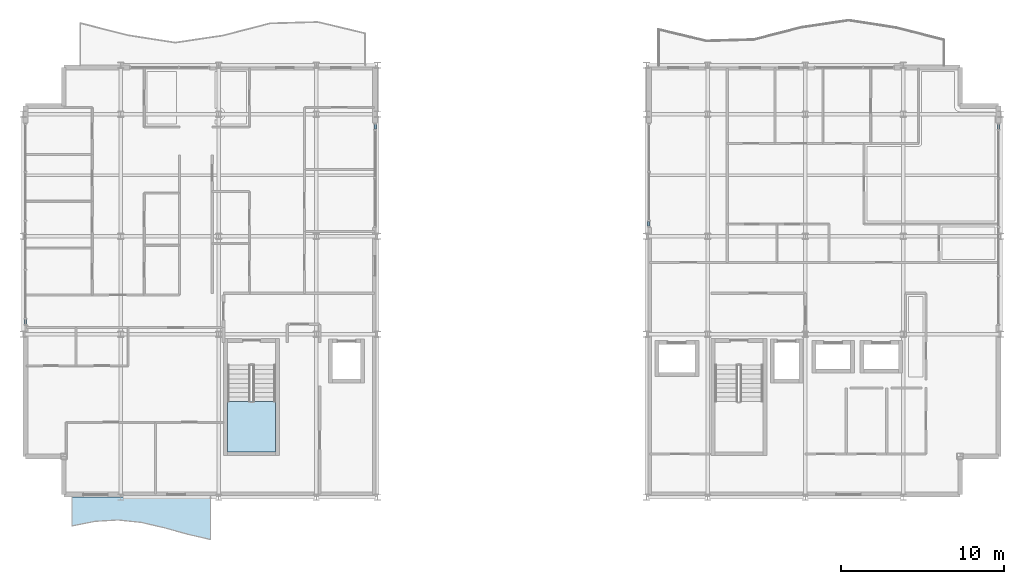
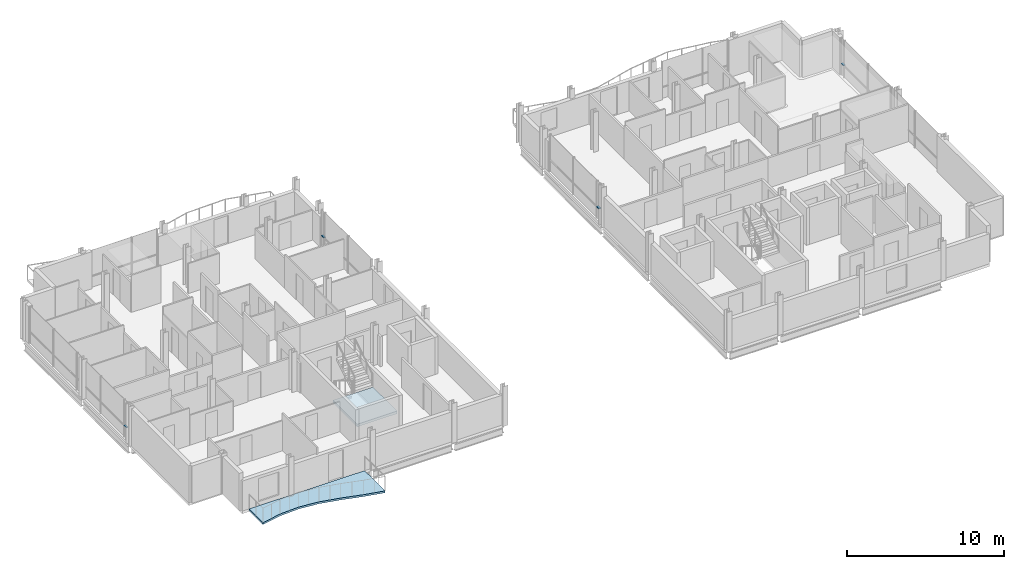
# One storey, part 16 of 29: 4 members, 2 slabs, 5 elements without a shape of their own.
"""IFC4 building model written with IfcOpenShell, lengths in metres."""

from ifc_helpers import new_model, si_unit, direction, frame, origin, origin_2d, place, context, subcontext, project, spatial, polyline, hollow_rectangle, outline, extrude, material, layer, layer_set, material_profile, profile_set, type_object, element, aggregate, save


model = new_model("IFC4")

# Units and contexts
model_context = context("Model", 3, precision=1e-05, world=origin(), true_north=direction((0.0, 1.0)))
body_context = subcontext(model_context, "Body", "Model", "MODEL_VIEW")
ifc_project = project(units=[si_unit("LENGTHUNIT", "METRE"), si_unit("AREAUNIT", "SQUARE_METRE"), si_unit("VOLUMEUNIT", "CUBIC_METRE"), si_unit("PLANEANGLEUNIT", "RADIAN"), si_unit("MASSUNIT", "GRAM", prefix="KILO")], contexts=[model_context])

# Site, building, storey
site_placement = place(None, origin())
site = spatial("IfcSite", under=ifc_project, at=site_placement, CompositionType="ELEMENT")
building_placement = place(site_placement, origin())
building = spatial("IfcBuilding", under=site, at=building_placement, Name="Brevholm Reach", CompositionType="ELEMENT")
storey_placement = place(building_placement, frame((0.0, 0.0, 208.0)))
storey = spatial("IfcBuildingStorey", under=building, at=storey_placement, Name="L63", CompositionType="ELEMENT", Elevation=208.0)

# Curtain wall, member
ifc_material_1 = material(Name="Dark Anodised Aluminium 6063-T6 and Solar-Control Glass", Category="aluminium")
ifc_layer_1 = layer(ifc_material_1, 0.14990234375)
ifc_layer_set_1 = layer_set([ifc_layer_1], Name="Dark Anodised Aluminium 6063-T6 and Solar-Control Glass")
curtain_wall_type_1 = type_object("IfcCurtainWallType", Name="CW-01", PredefinedType="NOTDEFINED", material=ifc_layer_set_1)
curtain_wall_1_placement = place(storey_placement, origin())
curtain_wall_1 = element("IfcCurtainWall", 1, at=curtain_wall_1_placement, inside=storey, type_object=curtain_wall_type_1, Name="L63 Curtain Wall CW-01", PredefinedType="NOTDEFINED")
ifc_material_2 = material(Name="Dark Anodised Aluminium 6063-T6", Category="aluminium")
ifc_material_profile_1 = material_profile(ifc_material_2, hollow_rectangle(XDim=0.06494140625, YDim=0.14990234375, WallThickness=0.0048828125, InnerFilletRadius=0.0048828125, OuterFilletRadius=0.010009765625, at=origin_2d()), Name="RHS 150x65x5")
ifc_profile_set_1 = profile_set([ifc_material_profile_1], Name="Dark Anodised Aluminium 6063-T6")
member_type_1 = type_object("IfcMemberType", Name="CWT-150", PredefinedType="NOTDEFINED", material=ifc_profile_set_1)
member_1_placement = place(storey_placement, frame((0.14990234375, 10.91748046875, 0.89990234375), z_axis=(0.0, -1.0, 0.0), x_axis=(0.0, 0.0, 1.0)))
member_1 = element("IfcMember", 2, at=member_1_placement, type_object=member_type_1, Name="CT-150 Transom 5.1", ObjectType="TRANSOM", PredefinedType="USERDEFINED", context=body_context, shape_type="SweptSolid", body=[
    extrude(hollow_rectangle(XDim=0.06494140625, YDim=0.14990234375, WallThickness=0.0048828125, InnerFilletRadius=0.0048828125, OuterFilletRadius=0.010009765625, at=origin_2d()), origin(), (0.0, 0.0, 1.0), 0.302490234375),
])
aggregate(curtain_wall_1, [member_1])

curtain_wall_2_placement = place(storey_placement, origin())
curtain_wall_2 = element("IfcCurtainWall", 3, at=curtain_wall_2_placement, inside=storey, type_object=curtain_wall_type_1, Name="L63 Curtain Wall CW-01", PredefinedType="NOTDEFINED")
member_2_placement = place(storey_placement, frame((59.85009765625, 22.58251953125, 0.89990234375), z_axis=(0.0, 1.0, 0.0), x_axis=(0.0, 0.0, 1.0)))
member_2 = element("IfcMember", 4, at=member_2_placement, type_object=member_type_1, Name="CT-150 Transom 5.1", ObjectType="TRANSOM", PredefinedType="USERDEFINED", context=body_context, shape_type="SweptSolid", body=[
    extrude(hollow_rectangle(XDim=0.06494140625, YDim=0.14990234375, WallThickness=0.0048828125, InnerFilletRadius=0.0048828125, OuterFilletRadius=0.010009765625, at=origin_2d()), origin(), (0.0, 0.0, 1.0), 0.302490234375),
])
aggregate(curtain_wall_2, [member_2])

ifc_material_3 = material(Name="Dark Anodised Aluminium 6063-T6 and Solar-Control Glass", Category="aluminium")
ifc_layer_2 = layer(ifc_material_3, 0.1650390625)
ifc_layer_set_2 = layer_set([ifc_layer_2], Name="Dark Anodised Aluminium 6063-T6 and Solar-Control Glass")
curtain_wall_type_2 = type_object("IfcCurtainWallType", Name="CW-04", PredefinedType="NOTDEFINED", material=ifc_layer_set_2)
curtain_wall_3_placement = place(storey_placement, origin())
curtain_wall_3 = element("IfcCurtainWall", 5, at=curtain_wall_3_placement, inside=storey, type_object=curtain_wall_type_2, Name="L63 Curtain Wall CW-04", PredefinedType="NOTDEFINED")
ifc_material_4 = material(Name="Dark Anodised Aluminium 6063-T6", Category="aluminium")
ifc_material_profile_2 = material_profile(ifc_material_4, hollow_rectangle(XDim=0.070068359375, YDim=0.1650390625, WallThickness=0.0048828125, InnerFilletRadius=0.0048828125, OuterFilletRadius=0.010009765625, at=origin_2d()), Name="RHS 165x70x5")
ifc_profile_set_2 = profile_set([ifc_material_profile_2], Name="Dark Anodised Aluminium 6063-T6")
member_type_2 = type_object("IfcMemberType", Name="CWT-165", PredefinedType="NOTDEFINED", material=ifc_profile_set_2)
member_3_placement = place(storey_placement, frame((21.60009765625, 22.5849609375, 0.89990234375), z_axis=(0.0, 1.0, 0.0), x_axis=(0.0, 0.0, 1.0)))
member_3 = element("IfcMember", 6, at=member_3_placement, type_object=member_type_2, Name="CT-165 Transom 3.1", ObjectType="TRANSOM", PredefinedType="USERDEFINED", context=body_context, shape_type="SweptSolid", body=[
    extrude(hollow_rectangle(XDim=0.070068359375, YDim=0.1650390625, WallThickness=0.0048828125, InnerFilletRadius=0.0048828125, OuterFilletRadius=0.010009765625, at=origin_2d()), origin(), (0.0, 0.0, 1.0), 0.294921875),
])
aggregate(curtain_wall_3, [member_3])

curtain_wall_4_placement = place(storey_placement, origin())
curtain_wall_4 = element("IfcCurtainWall", 7, at=curtain_wall_4_placement, inside=storey, type_object=curtain_wall_type_2, Name="L63 Curtain Wall CW-04", PredefinedType="NOTDEFINED")
member_4_placement = place(storey_placement, frame((38.39990234375, 16.9150390625, 0.89990234375), z_axis=(0.0, -1.0, 0.0), x_axis=(0.0, 0.0, 1.0)))
member_4 = element("IfcMember", 8, at=member_4_placement, type_object=member_type_2, Name="CT-165 Transom 3.1", ObjectType="TRANSOM", PredefinedType="USERDEFINED", context=body_context, shape_type="SweptSolid", body=[
    extrude(hollow_rectangle(XDim=0.070068359375, YDim=0.1650390625, WallThickness=0.0048828125, InnerFilletRadius=0.0048828125, OuterFilletRadius=0.010009765625, at=origin_2d()), origin(), (0.0, 0.0, 1.0), 0.294921875),
])
aggregate(curtain_wall_4, [member_4])

# Slab
ifc_material_5 = material(Name="Precast Concrete C45/55", Category="concrete")
ifc_layer_3 = layer(ifc_material_5, 0.14990234375)
ifc_layer_set_3 = layer_set([ifc_layer_3], Name="Precast Concrete C45/55")
slab_type_1 = type_object("IfcSlabType", Name="SLB-BAL-150", PredefinedType="FLOOR", material=ifc_layer_set_3)
slab_1_placement = place(storey_placement, frame((0.0, 0.0, -0.14990234375)))
element("IfcSlab", 9, at=slab_1_placement, inside=storey, type_object=slab_type_1, Name="L63 Rippling External Balcony SW", PredefinedType="FLOOR", context=body_context, shape_type="SweptSolid", body=[
    extrude(outline(polyline([(3.0, -1.7685546875), (4.416748046875, -1.484619140625), (5.833251953125, -1.402587890625), (7.25, -1.55029296875), (8.666748046875, -1.877685546875), (10.083251953125, -2.2724609375), (11.5, -2.599609375), (11.5, 0.0), (3.0, 0.0), (3.0, -1.7685546875)])), origin(), (0.0, 0.0, 1.0), 0.14990234375),
])

# Stair, slab
ifc_material_6 = material(Name="Precast Concrete C40/50", Category="concrete")
stair_type = type_object("IfcStairType", Name="STR-ESC-1400", PredefinedType="DOUBLE_RETURN_STAIR", material=ifc_material_6)
stair_placement = place(storey_placement, origin())
stair = element("IfcStair", 10, at=stair_placement, inside=storey, type_object=stair_type, Name="L63 ST-1", PredefinedType="DOUBLE_RETURN_STAIR")
ifc_material_7 = material(Name="Concrete C40/50", Category="concrete")
ifc_layer_4 = layer(ifc_material_7, 0.199951171875)
ifc_layer_set_4 = layer_set([ifc_layer_4], Name="Concrete C40/50")
slab_type_2 = type_object("IfcSlabType", Name="SLB-LND-200", PredefinedType="LANDING", material=ifc_layer_set_4)
slab_2_placement = place(storey_placement, frame((0.0, 0.0, 1.35009765625)))
slab_2 = element("IfcSlab", 11, at=slab_2_placement, type_object=slab_type_2, Name="ST-1 landing 1", PredefinedType="LANDING", context=body_context, shape_type="SweptSolid", body=[
    extrude(outline(polyline([(12.550048828125, 5.860107421875), (12.550048828125, 2.780029296875), (15.5, 2.780029296875), (15.5, 5.860107421875), (12.550048828125, 5.860107421875)])), origin(), (0.0, 0.0, 1.0), 0.199951171875),
])
aggregate(stair, [slab_2])

save(model, "model.ifc")
